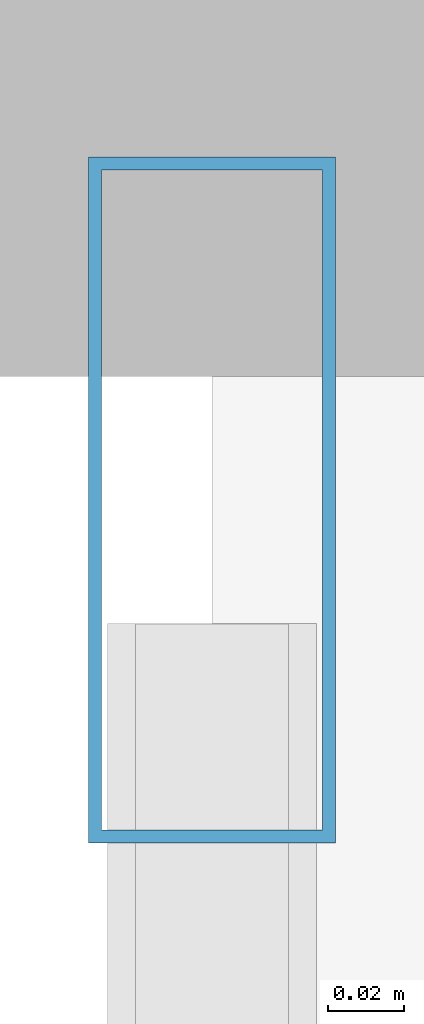
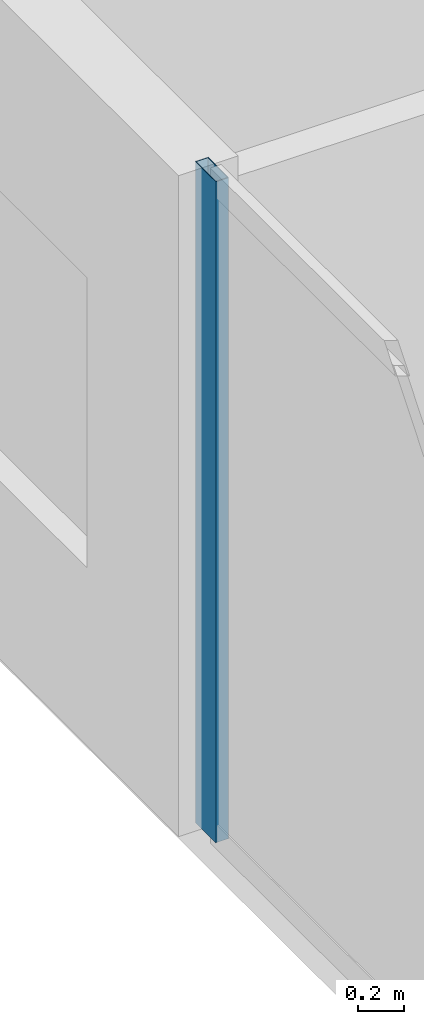
# One storey, part 15 of 32: 1 member, 1 element without a shape of its own.
"""IFC4 building model written with IfcOpenShell, lengths in metres."""

from ifc_helpers import new_model, si_unit, direction, frame, origin, origin_2d, place, context, subcontext, project, spatial, hollow_rectangle, extrude, material, layer, layer_set, material_profile, profile_set, type_object, element, aggregate, save


model = new_model("IFC4")

# Units and contexts
model_context = context("Model", 3, precision=1e-05, world=origin(), true_north=direction((0.0, 1.0)))
body_context = subcontext(model_context, "Body", "Model", "MODEL_VIEW")
ifc_project = project(units=[si_unit("LENGTHUNIT", "METRE"), si_unit("AREAUNIT", "SQUARE_METRE"), si_unit("VOLUMEUNIT", "CUBIC_METRE"), si_unit("PLANEANGLEUNIT", "RADIAN"), si_unit("MASSUNIT", "GRAM", prefix="KILO")], contexts=[model_context])

# Site, building, storey
site_placement = place(None, origin())
site = spatial("IfcSite", under=ifc_project, at=site_placement, CompositionType="ELEMENT")
building_placement = place(site_placement, origin())
building = spatial("IfcBuilding", under=site, at=building_placement, Name="Zuhayl Quay Hotel", CompositionType="ELEMENT")
storey_placement = place(building_placement, frame((0.0, 0.0, 196.14990234375)))
storey = spatial("IfcBuildingStorey", under=building, at=storey_placement, Name="L49", CompositionType="ELEMENT", Elevation=196.14990234375)

# Curtain wall, member
ifc_material_1 = material(Name="Anodised Aluminium 6063-T6", Category="aluminium")
ifc_layer = layer(ifc_material_1, 0.175048828125, Name="Anodised Aluminium 6063-T6", Category="aluminium")
ifc_layer_set = layer_set([ifc_layer], Name="Anodised Aluminium 6063-T6")
curtain_wall_type = type_object("IfcCurtainWallType", Name="CW_SYS_Z3", PredefinedType="USERDEFINED", material=ifc_layer_set)
curtain_wall_placement = place(storey_placement, origin())
curtain_wall = element("IfcCurtainWall", 1, at=curtain_wall_placement, inside=storey, type_object=curtain_wall_type, Name="L49 Curtain Wall ENV_L49_E05_CW1", ObjectType="UNITISED CURTAIN WALL", PredefinedType="USERDEFINED")
ifc_material_2 = material(Name="Black-anodised aluminium 6063-T6", Category="aluminium")
ifc_material_profile = material_profile(ifc_material_2, hollow_rectangle(XDim=0.06494140625, YDim=0.179931640625, WallThickness=0.00341796875, at=origin_2d()), Name="ALU180X65")
ifc_profile_set = profile_set([ifc_material_profile], Name="Black-anodised aluminium 6063-T6")
member_type = type_object("IfcMemberType", Name="MB_CW_MUL_180", PredefinedType="MULLION", material=ifc_profile_set)
member_placement = place(storey_placement, frame((-22.10009765625, 24.517578125, 0.0), z_axis=(0.0, 0.0, 1.0), x_axis=(-1.0, 0.0, 0.0)))
member = element("IfcMember", 2, at=member_placement, type_object=member_type, Name="CW-Z3 mullion 2", PredefinedType="MULLION", context=body_context, shape_type="SweptSolid", body=[
    extrude(hollow_rectangle(XDim=0.06494140625, YDim=0.179931640625, WallThickness=0.00341796875, at=origin_2d()), origin(), (0.0, 0.0, 1.0), 3.530029296875),
])
aggregate(curtain_wall, [member])

save(model, "model.ifc")
